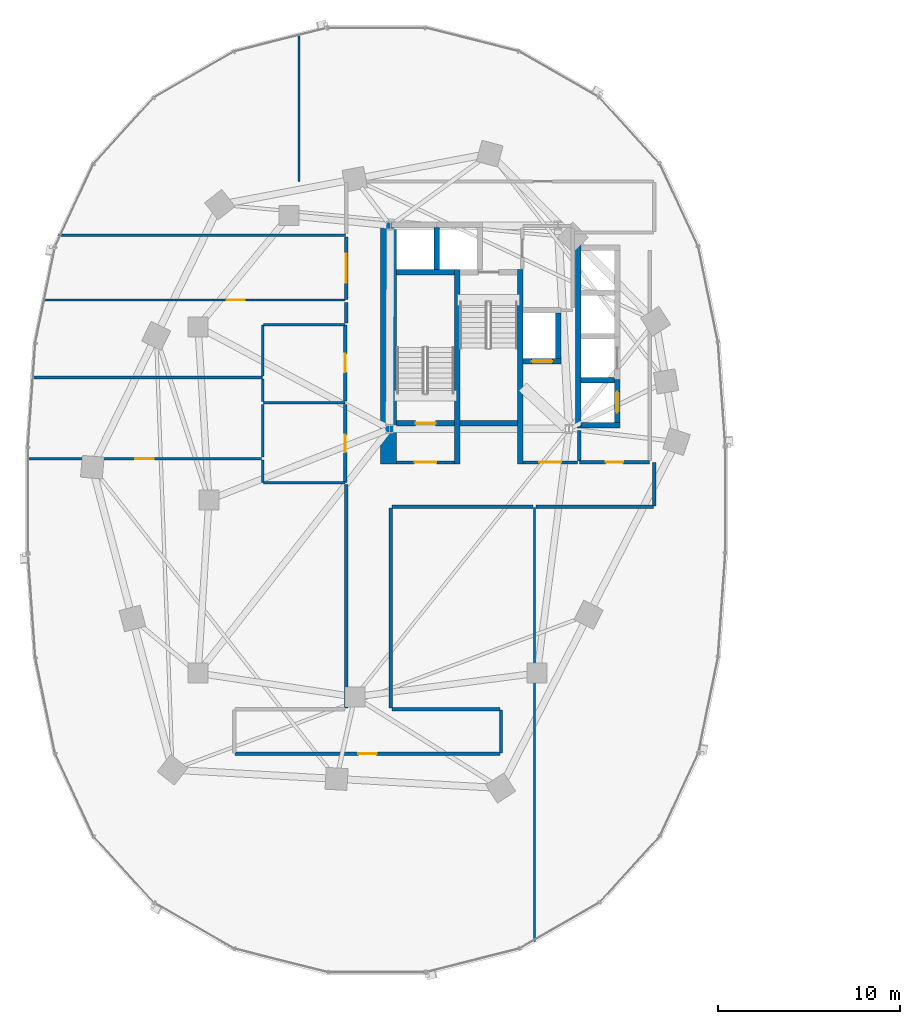
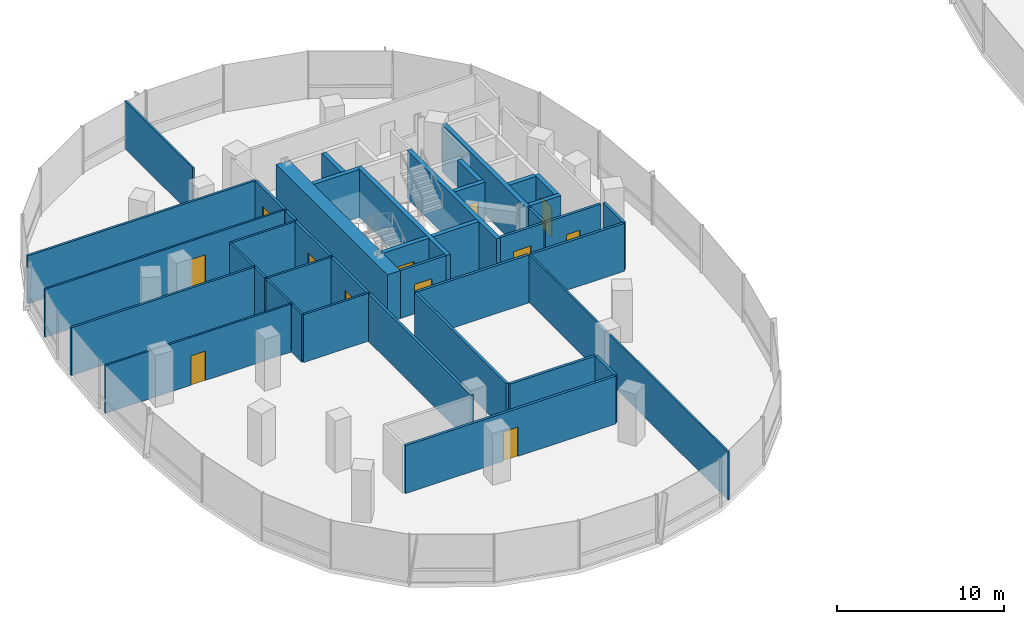
# One storey, part 11 of 21: 42 walls, 12 doors, 12 openings.
"""IFC4 building model written with IfcOpenShell, lengths in metres."""

from ifc_helpers import new_model, si_unit, direction, frame, frame_2d, origin, place, context, subcontext, project, spatial, rectangle, extrude, material, layer, layer_set, type_object, element, fill, save


model = new_model("IFC4")

# Units and contexts
model_context = context("Model", 3, precision=1e-05, world=origin(), true_north=direction((0.0, 1.0)))
body_context = subcontext(model_context, "Body", "Model", "MODEL_VIEW")
ifc_project = project(units=[si_unit("LENGTHUNIT", "METRE"), si_unit("AREAUNIT", "SQUARE_METRE"), si_unit("VOLUMEUNIT", "CUBIC_METRE"), si_unit("PLANEANGLEUNIT", "RADIAN"), si_unit("MASSUNIT", "GRAM", prefix="KILO"), si_unit("THERMODYNAMICTEMPERATUREUNIT", "KELVIN"), si_unit("POWERUNIT", "WATT")], contexts=[model_context])

# Site, building, storey
site_placement = place(None, origin())
site = spatial("IfcSite", under=ifc_project, at=site_placement, CompositionType="ELEMENT")
building_placement = place(site_placement, origin())
building = spatial("IfcBuilding", under=site, at=building_placement, Name="Cundina Bronze Exchange", CompositionType="ELEMENT")
storey_placement = place(building_placement, frame((0.0, 0.0, 27.800048828125)))
storey = spatial("IfcBuildingStorey", under=building, at=storey_placement, Name="L06", CompositionType="ELEMENT", Elevation=27.800048828125)

# Wall
ifc_material_1 = material(Name="Gypsum Fireboard Partition EI120")
ifc_layer_1 = layer(ifc_material_1, 0.179931640625, Name="Gypsum Fireboard Partition EI120")
ifc_layer_set_1 = layer_set([ifc_layer_1], Name="Gypsum Fireboard Partition EI120")
wall_type_1 = type_object("IfcWallType", Name="WL-COR-180", PredefinedType="PARTITIONING", material=ifc_layer_set_1)
wall_1_placement = place(storey_placement, frame((-20.889892578125, 2.14990234375, 0.0), z_axis=(0.0, 0.0, 1.0), x_axis=(0.0, 1.0, 0.0)))
element("IfcWall", 1, at=wall_1_placement, inside=storey, type_object=wall_type_1, Name="L06 W Firefighting Lobby Side Wall", PredefinedType="PARTITIONING", context=body_context, shape_type="SweptSolid", body=[
    extrude(rectangle(XDim=1.650146484375, YDim=0.179931640625, at=frame_2d((0.8251953125, 0.0))), origin(), (0.0, 0.0, 1.0), 3.5),
])

# Wall, opening, door
wall_2_placement = place(storey_placement, frame((-23.97998046875, 2.06005859375, 0.0), z_axis=(0.0, 0.0, 1.0), x_axis=(1.0, 0.0, 0.0)))
wall_2 = element("IfcWall", 2, at=wall_2_placement, inside=storey, type_object=wall_type_1, Name="L06 W Firefighting Lobby Exit Wall", PredefinedType="PARTITIONING", context=body_context, shape_type="SweptSolid", body=[
    extrude(rectangle(XDim=3.0, YDim=0.179931640625, at=frame_2d((1.5, 0.0))), origin(), (0.0, 0.0, 1.0), 3.5),
])
opening_1_placement = place(wall_2_placement, frame((0.89990234375, 0.0, 0.0)))
opening_1 = element("IfcOpeningElement", 3, at=opening_1_placement, cuts=wall_2, Name="Opening DF-01", PredefinedType="OPENING", context=body_context, shape_type="SweptSolid", body=[
    extrude(rectangle(XDim=1.199951171875, YDim=2.14990234375, at=frame_2d((0.60009765625, 1.074951171875))), frame((0.0, 0.099853515625, 0.0), z_axis=(0.0, -1.0, 0.0), x_axis=(1.0, 0.0, 0.0)), (0.0, 0.0, 1.0), 0.199951171875),
])
ifc_material_2 = material(Name="Steel ASTM A36 Painted", Category="steel")
door_type_1 = type_object("IfcDoorType", Name="DR-FFL-1200", OperationType="NOTDEFINED", PredefinedType="DOOR", material=ifc_material_2)
door_1_placement = place(opening_1_placement, origin())
door_1 = element("IfcDoor", 4, at=door_1_placement, inside=storey, type_object=door_type_1, Name="L06 W Firefighting Lobby Door", OperationType="SINGLE_SWING_RIGHT", OverallHeight=2.14990234375, OverallWidth=1.199951171875, PredefinedType="DOOR", context=body_context, shape_type="SweptSolid", body=[
    extrude(rectangle(XDim=1.199951171875, YDim=2.14990234375, at=frame_2d((0.60009765625, 1.074951171875))), frame((0.0, 0.02490234375, 0.0), z_axis=(0.0, -1.0, 0.0), x_axis=(1.0, 0.0, 0.0)), (0.0, 0.0, 1.0), 0.050048828125),
])
fill(opening_1, door_1)

wall_3_placement = place(storey_placement, frame((-30.89990234375, 2.06005859375, 0.0), z_axis=(0.0, 0.0, 1.0), x_axis=(1.0, 0.0, 0.0)))
wall_3 = element("IfcWall", 5, at=wall_3_placement, inside=storey, type_object=wall_type_1, Name="L06 W Stair Vestibule Exit Wall", PredefinedType="PARTITIONING", context=body_context, shape_type="SweptSolid", body=[
    extrude(rectangle(XDim=3.159912109375, YDim=0.179931640625, at=frame_2d((1.580078125, 0.0))), origin(), (0.0, 0.0, 1.0), 3.5),
])
opening_2_placement = place(wall_3_placement, frame((0.97998046875, 0.0, 0.0)))
opening_2 = element("IfcOpeningElement", 6, at=opening_2_placement, cuts=wall_3, Name="Opening DF-01", PredefinedType="OPENING", context=body_context, shape_type="SweptSolid", body=[
    extrude(rectangle(XDim=1.199951171875, YDim=2.14990234375, at=frame_2d((0.60009765625, 1.074951171875))), frame((0.0, 0.099853515625, 0.0), z_axis=(0.0, -1.0, 0.0), x_axis=(1.0, 0.0, 0.0)), (0.0, 0.0, 1.0), 0.199951171875),
])
door_2_placement = place(opening_2_placement, origin())
door_2 = element("IfcDoor", 7, at=door_2_placement, inside=storey, type_object=door_type_1, Name="L06 W Stair Vestibule Door", OperationType="SINGLE_SWING_LEFT", OverallHeight=2.14990234375, OverallWidth=1.199951171875, PredefinedType="DOOR", context=body_context, shape_type="SweptSolid", body=[
    extrude(rectangle(XDim=1.199951171875, YDim=2.14990234375, at=frame_2d((0.60009765625, 1.074951171875))), frame((0.0, 0.02490234375, 0.0), z_axis=(0.0, -1.0, 0.0), x_axis=(1.0, 0.0, 0.0)), (0.0, 0.0, 1.0), 0.050048828125),
])
fill(opening_2, door_2)

wall_4_placement = place(storey_placement, frame((-20.8701171875, 2.070068359375, 0.0), z_axis=(0.0, 0.0, 1.0), x_axis=(1.0, 0.0, 0.0)))
wall_4 = element("IfcWall", 8, at=wall_4_placement, inside=storey, type_object=wall_type_1, Name="L06 Interior Partition 002", PredefinedType="PARTITIONING", context=body_context, shape_type="SweptSolid", body=[
    extrude(rectangle(XDim=3.830078125, YDim=0.179931640625, at=frame_2d((1.9150390625, 0.0))), origin(), (0.0, 0.0, 1.0), 3.5),
])
opening_3_placement = place(wall_4_placement, frame((1.43994140625, 0.0, 0.0)))
opening_3 = element("IfcOpeningElement", 9, at=opening_3_placement, cuts=wall_4, Name="Opening DW-01", PredefinedType="OPENING", context=body_context, shape_type="SweptSolid", body=[
    extrude(rectangle(XDim=0.949951171875, YDim=2.10009765625, at=frame_2d((0.47509765625, 1.050048828125))), frame((0.0, 0.099853515625, 0.0), z_axis=(0.0, -1.0, 0.0), x_axis=(1.0, 0.0, 0.0)), (0.0, 0.0, 1.0), 0.199951171875),
])
ifc_material_3 = material(Name="Solid Andean Oak Timber Grade A", Category="wood")
door_type_2 = type_object("IfcDoorType", Name="DR-WC-950", OperationType="NOTDEFINED", PredefinedType="DOOR", material=ifc_material_3)
door_3_placement = place(opening_3_placement, origin())
door_3 = element("IfcDoor", 10, at=door_3_placement, inside=storey, type_object=door_type_2, Name="L06 Interior Door 002", OperationType="SINGLE_SWING_LEFT", OverallHeight=2.10009765625, OverallWidth=0.949951171875, PredefinedType="DOOR", context=body_context, shape_type="SweptSolid", body=[
    extrude(rectangle(XDim=0.949951171875, YDim=2.10009765625, at=frame_2d((0.47509765625, 1.050048828125))), frame((0.0, 0.02490234375, 0.0), z_axis=(0.0, -1.0, 0.0), x_axis=(1.0, 0.0, 0.0)), (0.0, 0.0, 1.0), 0.050048828125),
])
fill(opening_3, door_3)

wall_5_placement = place(storey_placement, frame((-33.719970703125, 0.969970703125, 0.0), z_axis=(0.0, 0.0, 1.0), x_axis=(0.0, 1.0, 0.0)))
wall_5 = element("IfcWall", 11, at=wall_5_placement, inside=storey, type_object=wall_type_1, Name="L06 Interior Partition 014", PredefinedType="PARTITIONING", context=body_context, shape_type="SweptSolid", body=[
    extrude(rectangle(XDim=4.260009765625, YDim=0.179931640625, at=frame_2d((2.1298828125, 0.0))), origin(), (0.0, 0.0, 1.0), 3.5),
])
opening_4_placement = place(wall_5_placement, frame((1.655029296875, 0.0, 0.0)))
opening_4 = element("IfcOpeningElement", 12, at=opening_4_placement, cuts=wall_5, Name="Opening DW-01", PredefinedType="OPENING", context=body_context, shape_type="SweptSolid", body=[
    extrude(rectangle(XDim=0.949951171875, YDim=2.10009765625, at=frame_2d((0.47509765625, 1.050048828125))), frame((0.0, 0.099853515625, 0.0), z_axis=(0.0, -1.0, 0.0), x_axis=(1.0, 0.0, 0.0)), (0.0, 0.0, 1.0), 0.199951171875),
])
door_4_placement = place(opening_4_placement, origin())
door_4 = element("IfcDoor", 13, at=door_4_placement, inside=storey, type_object=door_type_2, Name="L06 Interior Door 014", OperationType="SINGLE_SWING_LEFT", OverallHeight=2.10009765625, OverallWidth=0.949951171875, PredefinedType="DOOR", context=body_context, shape_type="SweptSolid", body=[
    extrude(rectangle(XDim=0.949951171875, YDim=2.10009765625, at=frame_2d((0.47509765625, 1.050048828125))), frame((0.0, 0.02490234375, 0.0), z_axis=(0.0, -1.0, 0.0), x_axis=(1.0, 0.0, 0.0)), (0.0, 0.0, 1.0), 0.050048828125),
])
fill(opening_4, door_4)

wall_6_placement = place(storey_placement, frame((-33.719970703125, 5.429931640625, 0.0), z_axis=(0.0, 0.0, 1.0), x_axis=(0.0, 1.0, 0.0)))
wall_6 = element("IfcWall", 14, at=wall_6_placement, inside=storey, type_object=wall_type_1, Name="L06 Interior Partition 015", PredefinedType="PARTITIONING", context=body_context, shape_type="SweptSolid", body=[
    extrude(rectangle(XDim=4.16015625, YDim=0.179931640625, at=frame_2d((2.080078125, 0.0))), origin(), (0.0, 0.0, 1.0), 3.5),
])
opening_5_placement = place(wall_6_placement, frame((1.580078125, 0.0, 0.0)))
opening_5 = element("IfcOpeningElement", 15, at=opening_5_placement, cuts=wall_6, Name="Opening DO-01", PredefinedType="OPENING", context=body_context, shape_type="SweptSolid", body=[
    extrude(rectangle(XDim=1.0, YDim=2.14990234375, at=frame_2d((0.5, 1.074951171875))), frame((0.0, 0.099853515625, 0.0), z_axis=(0.0, -1.0, 0.0), x_axis=(1.0, 0.0, 0.0)), (0.0, 0.0, 1.0), 0.199951171875),
])
door_type_3 = type_object("IfcDoorType", Name="DR-OFF-1000", OperationType="NOTDEFINED", PredefinedType="DOOR", material=ifc_material_3)
door_5_placement = place(opening_5_placement, origin())
door_5 = element("IfcDoor", 16, at=door_5_placement, inside=storey, type_object=door_type_3, Name="L06 Interior Door 015", OperationType="SINGLE_SWING_LEFT", OverallHeight=2.14990234375, OverallWidth=1.0, PredefinedType="DOOR", context=body_context, shape_type="SweptSolid", body=[
    extrude(rectangle(XDim=1.0, YDim=2.14990234375, at=frame_2d((0.5, 1.074951171875))), frame((0.0, 0.02490234375, 0.0), z_axis=(0.0, -1.0, 0.0), x_axis=(1.0, 0.0, 0.0)), (0.0, 0.0, 1.0), 0.050048828125),
])
fill(opening_5, door_5)

wall_7_placement = place(storey_placement, frame((-39.778564453125, -13.919921875, 0.0), z_axis=(0.0, 0.0, 1.0), x_axis=(1.0, 0.0, 0.0)))
wall_7 = element("IfcWall", 17, at=wall_7_placement, inside=storey, type_object=wall_type_1, Name="L06 Interior Partition 020", PredefinedType="PARTITIONING", context=body_context, shape_type="SweptSolid", body=[
    extrude(rectangle(XDim=14.55712890625, YDim=0.179931640625, at=frame_2d((7.278564453125, 0.0))), origin(), (0.0, 0.0, 1.0), 3.5),
])
opening_6_placement = place(wall_7_placement, frame((6.778564453125, 0.0, 0.0)))
opening_6 = element("IfcOpeningElement", 18, at=opening_6_placement, cuts=wall_7, Name="Opening DO-01", PredefinedType="OPENING", context=body_context, shape_type="SweptSolid", body=[
    extrude(rectangle(XDim=1.0, YDim=2.14990234375, at=frame_2d((0.5, 1.074951171875))), frame((0.0, 0.099853515625, 0.0), z_axis=(0.0, -1.0, 0.0), x_axis=(1.0, 0.0, 0.0)), (0.0, 0.0, 1.0), 0.199951171875),
])
door_6_placement = place(opening_6_placement, origin())
door_6 = element("IfcDoor", 19, at=door_6_placement, inside=storey, type_object=door_type_3, Name="L06 Interior Door 020", OperationType="SINGLE_SWING_RIGHT", OverallHeight=2.14990234375, OverallWidth=1.0, PredefinedType="DOOR", context=body_context, shape_type="SweptSolid", body=[
    extrude(rectangle(XDim=1.0, YDim=2.14990234375, at=frame_2d((0.5, 1.074951171875))), frame((0.0, 0.02490234375, 0.0), z_axis=(0.0, -1.0, 0.0), x_axis=(1.0, 0.0, 0.0)), (0.0, 0.0, 1.0), 0.050048828125),
])
fill(opening_6, door_6)

# Walls
wall_8_placement = place(storey_placement, frame((-33.669921875, 0.858642578125, 0.0), z_axis=(0.0, 0.0, 1.0), x_axis=(0.0, -1.0, 0.0)))
element("IfcWall", 20, at=wall_8_placement, inside=storey, type_object=wall_type_1, Name="L06 Interior Partition 021", PredefinedType="PARTITIONING", context=body_context, shape_type="SweptSolid", body=[
    extrude(rectangle(XDim=12.258544921875, YDim=0.179931640625, at=frame_2d((6.12939453125, 0.0))), origin(), (0.0, 0.0, 1.0), 3.5),
])
wall_9_placement = place(storey_placement, frame((-31.22998046875, -11.39990234375, 0.0), z_axis=(0.0, 0.0, 1.0), x_axis=(0.0, 1.0, 0.0)))
element("IfcWall", 21, at=wall_9_placement, inside=storey, type_object=wall_type_1, Name="L06 Interior Partition 022", PredefinedType="PARTITIONING", context=body_context, shape_type="SweptSolid", body=[
    extrude(rectangle(XDim=10.949951171875, YDim=0.179931640625, at=frame_2d((5.47509765625, 0.0))), origin(), (0.0, 0.0, 1.0), 3.5),
])
wall_10_placement = place(storey_placement, frame((-31.14990234375, -0.3701171875, 0.0), z_axis=(0.0, 0.0, 1.0), x_axis=(1.0, 0.0, 0.0)))
element("IfcWall", 22, at=wall_10_placement, inside=storey, type_object=wall_type_1, Name="L06 Interior Partition 023", PredefinedType="PARTITIONING", context=body_context, shape_type="SweptSolid", body=[
    extrude(rectangle(XDim=7.719970703125, YDim=0.179931640625, at=frame_2d((3.85986328125, 0.0))), origin(), (0.0, 0.0, 1.0), 3.5),
])
wall_11_placement = place(storey_placement, frame((-25.221435546875, -11.47998046875, 0.0), z_axis=(0.0, 0.0, 1.0), x_axis=(-1.0, 0.0, 0.0)))
element("IfcWall", 23, at=wall_11_placement, inside=storey, type_object=wall_type_1, Name="L06 Interior Partition 025", PredefinedType="PARTITIONING", context=body_context, shape_type="SweptSolid", body=[
    extrude(rectangle(XDim=5.928466796875, YDim=0.179931640625, at=frame_2d((2.96435546875, 0.0))), origin(), (0.0, 0.0, 1.0), 3.5),
])
wall_12_placement = place(storey_placement, frame((-25.179931640625, -13.87841796875, 0.0), z_axis=(0.0, 0.0, 1.0), x_axis=(0.0, 1.0, 0.0)))
element("IfcWall", 24, at=wall_12_placement, inside=storey, type_object=wall_type_1, Name="L06 Interior Partition 027", PredefinedType="PARTITIONING", context=body_context, shape_type="SweptSolid", body=[
    extrude(rectangle(XDim=2.35693359375, YDim=0.179931640625, at=frame_2d((1.178466796875, 0.0))), origin(), (0.0, 0.0, 1.0), 3.5),
])
wall_13_placement = place(storey_placement, frame((-23.25, -0.3701171875, 0.0), z_axis=(0.0, 0.0, 1.0), x_axis=(1.0, 0.0, 0.0)))
element("IfcWall", 25, at=wall_13_placement, inside=storey, type_object=wall_type_1, Name="L06 Interior Partition 029", PredefinedType="PARTITIONING", context=body_context, shape_type="SweptSolid", body=[
    extrude(rectangle(XDim=6.428466796875, YDim=0.179931640625, at=frame_2d((3.21435546875, 0.0))), origin(), (0.0, 0.0, 1.0), 3.5),
])
wall_14_placement = place(storey_placement, frame((-16.780029296875, -0.32861328125, 0.0), z_axis=(0.0, 0.0, 1.0), x_axis=(0.0, 1.0, 0.0)))
element("IfcWall", 26, at=wall_14_placement, inside=storey, type_object=wall_type_1, Name="L06 Interior Partition 033", PredefinedType="PARTITIONING", context=body_context, shape_type="SweptSolid", body=[
    extrude(rectangle(XDim=2.38720703125, YDim=0.179931640625, at=frame_2d((1.193603515625, 0.0))), origin(), (0.0, 0.0, 1.0), 3.5),
])
wall_15_placement = place(storey_placement, frame((-33.669921875, 10.830078125, 0.0), z_axis=(0.0, 0.0, 1.0), x_axis=(0.0, -1.0, 0.0)))
element("IfcWall", 27, at=wall_15_placement, inside=storey, type_object=wall_type_1, Name="L06 Interior Partition 034", PredefinedType="PARTITIONING", context=body_context, shape_type="SweptSolid", body=[
    extrude(rectangle(XDim=1.128662109375, YDim=0.179931640625, at=frame_2d((0.564453125, 0.0))), origin(), (0.0, 0.0, 1.0), 3.5),
])

# Wall, opening, door
wall_16_placement = place(storey_placement, frame((-33.669921875, 14.429931640625, 0.0), z_axis=(0.0, 0.0, 1.0), x_axis=(0.0, -1.0, 0.0)))
wall_16 = element("IfcWall", 28, at=wall_16_placement, inside=storey, type_object=wall_type_1, Name="L06 Interior Partition 035", PredefinedType="PARTITIONING", context=body_context, shape_type="SweptSolid", body=[
    extrude(rectangle(XDim=3.419921875, YDim=0.179931640625, at=frame_2d((1.7099609375, 0.0))), origin(), (0.0, 0.0, 1.0), 3.5),
])
opening_7_placement = place(wall_16_placement, frame((0.909912109375, 0.0, 0.0)))
opening_7 = element("IfcOpeningElement", 29, at=opening_7_placement, cuts=wall_16, Name="Opening DO-02", PredefinedType="OPENING", context=body_context, shape_type="SweptSolid", body=[
    extrude(rectangle(XDim=1.60009765625, YDim=2.199951171875, at=frame_2d((0.800048828125, 1.10009765625))), frame((0.0, 0.099853515625, 0.0), z_axis=(0.0, -1.0, 0.0), x_axis=(1.0, 0.0, 0.0)), (0.0, 0.0, 1.0), 0.199951171875),
])
door_type_4 = type_object("IfcDoorType", Name="DR-TRD-1600", OperationType="NOTDEFINED", PredefinedType="DOOR", material=ifc_material_3)
door_7_placement = place(opening_7_placement, origin())
door_7 = element("IfcDoor", 30, at=door_7_placement, inside=storey, type_object=door_type_4, Name="L06 Interior Door 035", OperationType="SINGLE_SWING_LEFT", OverallHeight=2.199951171875, OverallWidth=1.60009765625, PredefinedType="DOOR", context=body_context, shape_type="SweptSolid", body=[
    extrude(rectangle(XDim=1.60009765625, YDim=2.199951171875, at=frame_2d((0.800048828125, 1.10009765625))), frame((0.0, 0.02490234375, 0.0), z_axis=(0.0, -1.0, 0.0), x_axis=(1.0, 0.0, 0.0)), (0.0, 0.0, 1.0), 0.050048828125),
])
fill(opening_7, door_7)

# Walls
ifc_material_4 = material(Name="Concrete C60/75", Category="concrete")
ifc_layer_2 = layer(ifc_material_4, 0.89990234375, Name="Concrete C60/75", Category="concrete")
ifc_layer_set_2 = layer_set([ifc_layer_2], Name="Concrete C60/75")
wall_type_2 = type_object("IfcWallType", Name="WL-CORE-900", PredefinedType="SHEAR", material=ifc_layer_set_2)
wall_17_placement = place(storey_placement, frame((-31.35009765625, 1.969970703125, 0.0), z_axis=(0.0, 0.0, 1.0), x_axis=(0.0, 1.0, 0.0)))
element("IfcWall", 31, at=wall_17_placement, inside=storey, type_object=wall_type_2, Name="L06 W Primary Core Shear Spine Wall", PredefinedType="SHEAR", context=body_context, shape_type="SweptSolid", body=[
    extrude(rectangle(XDim=13.330078125, YDim=0.89990234375, at=frame_2d((6.6650390625, 0.0))), origin(), (0.0, 0.0, 1.0), 3.5),
])
ifc_material_5 = material(Name="Gypsum Acoustic Partition EI60")
ifc_layer_3 = layer(ifc_material_5, 0.125, Name="Gypsum Acoustic Partition EI60")
ifc_layer_set_3 = layer_set([ifc_layer_3], Name="Gypsum Acoustic Partition EI60")
wall_type_3 = type_object("IfcWallType", Name="WL-OFF-125", PredefinedType="PARTITIONING", material=ifc_layer_set_3)
wall_18_placement = place(storey_placement, frame((-23.340087890625, -24.220458984375, 0.0), z_axis=(0.0, 0.0, 1.0), x_axis=(0.0, 1.0, 0.0)))
element("IfcWall", 32, at=wall_18_placement, inside=storey, type_object=wall_type_3, Name="L06 Interior Partition 016", PredefinedType="PARTITIONING", context=body_context, shape_type="SweptSolid", body=[
    extrude(rectangle(XDim=23.820556640625, YDim=0.125, at=frame_2d((11.91015625, 0.0))), origin(), (0.0, 0.0, 1.0), 3.5),
])
wall_19_placement = place(storey_placement, frame((-36.260009765625, 17.469970703125, 0.0), z_axis=(0.0, 0.0, 1.0), x_axis=(0.0, 1.0, 0.0)))
element("IfcWall", 33, at=wall_19_placement, inside=storey, type_object=wall_type_3, Name="L06 Interior Partition 019", PredefinedType="PARTITIONING", context=body_context, shape_type="SweptSolid", body=[
    extrude(rectangle(XDim=8.121337890625, YDim=0.125, at=frame_2d((4.060546875, 0.0))), origin(), (0.0, 0.0, 1.0), 3.5),
])

# Wall, opening, door
wall_20_placement = place(storey_placement, frame((-38.320068359375, 2.27001953125, 0.0), z_axis=(0.0, 0.0, 1.0), x_axis=(-1.0, 0.0, 0.0)))
wall_20 = element("IfcWall", 34, at=wall_20_placement, inside=storey, type_object=wall_type_3, Name="L06 Interior Partition 036", PredefinedType="PARTITIONING", context=body_context, shape_type="SweptSolid", body=[
    extrude(rectangle(XDim=12.837890625, YDim=0.125, at=frame_2d((6.4189453125, 0.0))), origin(), (0.0, 0.0, 1.0), 3.5),
])
opening_8_placement = place(wall_20_placement, frame((5.9189453125, 0.0, 0.0)))
opening_8 = element("IfcOpeningElement", 35, at=opening_8_placement, cuts=wall_20, Name="Opening DO-01", PredefinedType="OPENING", context=body_context, shape_type="SweptSolid", body=[
    extrude(rectangle(XDim=1.0, YDim=2.14990234375, at=frame_2d((0.5, 1.074951171875))), frame((0.0, 0.072509765625, 0.0), z_axis=(0.0, -1.0, 0.0), x_axis=(1.0, 0.0, 0.0)), (0.0, 0.0, 1.0), 0.14501953125),
])
door_8_placement = place(opening_8_placement, origin())
door_8 = element("IfcDoor", 36, at=door_8_placement, inside=storey, type_object=door_type_3, Name="L06 Interior Door 036", OperationType="SINGLE_SWING_RIGHT", OverallHeight=2.14990234375, OverallWidth=1.0, PredefinedType="DOOR", context=body_context, shape_type="SweptSolid", body=[
    extrude(rectangle(XDim=1.0, YDim=2.14990234375, at=frame_2d((0.5, 1.074951171875))), frame((0.0, 0.02490234375, 0.0), z_axis=(0.0, -1.0, 0.0), x_axis=(1.0, 0.0, 0.0)), (0.0, 0.0, 1.0), 0.050048828125),
])
fill(opening_8, door_8)

wall_21_placement = place(storey_placement, frame((-50.301513671875, 10.969970703125, 0.0), z_axis=(0.0, 0.0, 1.0), x_axis=(1.0, 0.0, 0.0)))
wall_21 = element("IfcWall", 37, at=wall_21_placement, inside=storey, type_object=wall_type_3, Name="L06 Interior Partition 037", PredefinedType="PARTITIONING", context=body_context, shape_type="SweptSolid", body=[
    extrude(rectangle(XDim=16.551513671875, YDim=0.125, at=frame_2d((8.27587890625, 0.0))), origin(), (0.0, 0.0, 1.0), 3.5),
])
opening_9_placement = place(wall_21_placement, frame((10.072509765625, 0.0, 0.0)))
opening_9 = element("IfcOpeningElement", 38, at=opening_9_placement, cuts=wall_21, Name="Opening DO-01", PredefinedType="OPENING", context=body_context, shape_type="SweptSolid", body=[
    extrude(rectangle(XDim=1.0, YDim=2.14990234375, at=frame_2d((0.5, 1.074951171875))), frame((0.0, 0.072509765625, 0.0), z_axis=(0.0, -1.0, 0.0), x_axis=(1.0, 0.0, 0.0)), (0.0, 0.0, 1.0), 0.14501953125),
])
door_9_placement = place(opening_9_placement, origin())
door_9 = element("IfcDoor", 39, at=door_9_placement, inside=storey, type_object=door_type_3, Name="L06 Interior Door 037", OperationType="SINGLE_SWING_LEFT", OverallHeight=2.14990234375, OverallWidth=1.0, PredefinedType="DOOR", context=body_context, shape_type="SweptSolid", body=[
    extrude(rectangle(XDim=1.0, YDim=2.14990234375, at=frame_2d((0.5, 1.074951171875))), frame((0.0, 0.02490234375, 0.0), z_axis=(0.0, -1.0, 0.0), x_axis=(1.0, 0.0, 0.0)), (0.0, 0.0, 1.0), 0.050048828125),
])
fill(opening_9, door_9)

# Walls
ifc_material_6 = material(Name="Concrete C50/60", Category="concrete")
ifc_layer_4 = layer(ifc_material_6, 0.300048828125, Name="Concrete C50/60", Category="concrete")
ifc_layer_set_4 = layer_set([ifc_layer_4], Name="Concrete C50/60")
wall_type_4 = type_object("IfcWallType", Name="WL-SHFT-300", PredefinedType="SHEAR", material=ifc_layer_set_4)
for number, where, z_axis, x_axis, name in (
    (40, (-27.590087890625, 1.969970703125, 0.0), (0.0, 0.0, 1.0), (0.0, 1.0, 0.0), "L06 W Stair Shaft Dividing Shear Wall"),
    (41, (-24.1298828125, 1.969970703125, 0.0), (0.0, 0.0, 1.0), (0.0, 1.0, 0.0), "L06 W Stair 2 East Shear Wall"),
):
    element("IfcWall", number, at=place(storey_placement, frame(where, z_axis=z_axis, x_axis=x_axis)), inside=storey, type_object=wall_type_4, Name=name, PredefinedType="SHEAR", context=body_context, shape_type="SweptSolid", body=[
        extrude(rectangle(XDim=10.679931640625, YDim=0.300048828125, at=frame_2d((5.33984375, 0.0))), origin(), (0.0, 0.0, 1.0), 3.5),
    ])

# Wall, opening, door
wall_22_placement = place(storey_placement, frame((-30.89990234375, 4.199951171875, 0.0), z_axis=(0.0, 0.0, 1.0), x_axis=(1.0, 0.0, 0.0)))
wall_22 = element("IfcWall", 42, at=wall_22_placement, inside=storey, type_object=wall_type_4, Name="L06 Stair W1 Landing Wall", PredefinedType="SHEAR", context=body_context, shape_type="SweptSolid", body=[
    extrude(rectangle(XDim=3.159912109375, YDim=0.300048828125, at=frame_2d((1.580078125, 0.0))), origin(), (0.0, 0.0, 1.0), 3.5),
])
opening_10_placement = place(wall_22_placement, frame((1.030029296875, 0.0, 0.0)))
opening_10 = element("IfcOpeningElement", 43, at=opening_10_placement, cuts=wall_22, Name="Opening DS-01", PredefinedType="OPENING", context=body_context, shape_type="SweptSolid", body=[
    extrude(rectangle(XDim=1.10009765625, YDim=2.14990234375, at=frame_2d((0.550048828125, 1.074951171875))), frame((0.0, 0.159912109375, 0.0), z_axis=(0.0, -1.0, 0.0), x_axis=(1.0, 0.0, 0.0)), (0.0, 0.0, 1.0), 0.320068359375),
])
door_type_5 = type_object("IfcDoorType", Name="DR-STR-1100", OperationType="NOTDEFINED", PredefinedType="DOOR", material=ifc_material_2)
door_10_placement = place(opening_10_placement, origin())
door_10 = element("IfcDoor", 44, at=door_10_placement, inside=storey, type_object=door_type_5, Name="L06 Smokeproof Stair W1 Door", OperationType="SINGLE_SWING_RIGHT", OverallHeight=2.14990234375, OverallWidth=1.10009765625, PredefinedType="DOOR", context=body_context, shape_type="SweptSolid", body=[
    extrude(rectangle(XDim=1.10009765625, YDim=2.14990234375, at=frame_2d((0.550048828125, 1.074951171875))), frame((0.0, 0.02490234375, 0.0), z_axis=(0.0, -1.0, 0.0), x_axis=(1.0, 0.0, 0.0)), (0.0, 0.0, 1.0), 0.050048828125),
])
fill(opening_10, door_10)

# Walls
for number, where, z_axis, x_axis, name in (
    (45, (-30.89990234375, 12.5, 0.0), (0.0, 0.0, 1.0), (1.0, 0.0, 0.0), "L06 Stair W1 Far Shaft Wall"),
    (46, (-27.43994140625, 4.199951171875, 0.0), (0.0, 0.0, 1.0), (1.0, 0.0, 0.0), "L06 Stair W2 Far Shaft Wall"),
):
    element("IfcWall", number, at=place(storey_placement, frame(where, z_axis=z_axis, x_axis=x_axis)), inside=storey, type_object=wall_type_4, Name=name, PredefinedType="SHEAR", context=body_context, shape_type="SweptSolid", body=[
        extrude(rectangle(XDim=3.159912109375, YDim=0.300048828125, at=frame_2d((1.580078125, 0.0))), origin(), (0.0, 0.0, 1.0), 3.5),
    ])

# Wall, opening, door
wall_23_placement = place(storey_placement, frame((-23.97998046875, 7.60009765625, 0.0), z_axis=(0.0, 0.0, 1.0), x_axis=(1.0, 0.0, 0.0)))
wall_23 = element("IfcWall", 47, at=wall_23_placement, inside=storey, type_object=wall_type_4, Name="L06 FFL-W Hoistway Front Wall", PredefinedType="SHEAR", context=body_context, shape_type="SweptSolid", body=[
    extrude(rectangle(XDim=2.10009765625, YDim=0.300048828125, at=frame_2d((1.050048828125, 0.0))), origin(), (0.0, 0.0, 1.0), 3.5),
])
opening_11_placement = place(wall_23_placement, frame((0.47509765625, 0.0, 0.0)))
opening_11 = element("IfcOpeningElement", 48, at=opening_11_placement, cuts=wall_23, Name="Opening LD-01", PredefinedType="OPENING", context=body_context, shape_type="SweptSolid", body=[
    extrude(rectangle(XDim=1.14990234375, YDim=2.199951171875, at=frame_2d((0.574951171875, 1.10009765625))), frame((0.0, 0.159912109375, 0.0), z_axis=(0.0, -1.0, 0.0), x_axis=(1.0, 0.0, 0.0)), (0.0, 0.0, 1.0), 0.320068359375),
])
door_type_6 = type_object("IfcDoorType", Name="DR-LND-1150", OperationType="NOTDEFINED", PredefinedType="TRAPDOOR", material=ifc_material_2)
door_11_placement = place(opening_11_placement, origin())
door_11 = element("IfcDoor", 49, at=door_11_placement, inside=storey, type_object=door_type_6, Name="L06 FFL-W Sliding Landing Door", OperationType="SLIDING_TO_LEFT", OverallHeight=2.199951171875, OverallWidth=1.14990234375, PredefinedType="TRAPDOOR", context=body_context, shape_type="SweptSolid", body=[
    extrude(rectangle(XDim=1.14990234375, YDim=2.199951171875, at=frame_2d((0.574951171875, 1.10009765625))), frame((0.0, 0.02490234375, 0.0), z_axis=(0.0, -1.0, 0.0), x_axis=(1.0, 0.0, 0.0)), (0.0, 0.0, 1.0), 0.050048828125),
])
fill(opening_11, door_11)

# Walls
wall_24_placement = place(storey_placement, frame((-22.030029296875, 7.75, 0.0), z_axis=(0.0, 0.0, 1.0), x_axis=(0.0, 1.0, 0.0)))
element("IfcWall", 50, at=wall_24_placement, inside=storey, type_object=wall_type_4, Name="L06 FFL-W Hoistway Side Wall", PredefinedType="SHEAR", context=body_context, shape_type="SweptSolid", body=[
    extrude(rectangle(XDim=2.5, YDim=0.300048828125, at=frame_2d((1.25, 0.0))), origin(), (0.0, 0.0, 1.0), 3.5),
])
wall_25_placement = place(storey_placement, frame((-28.699951171875, 12.64990234375, 0.0), z_axis=(0.0, 0.0, 1.0), x_axis=(0.0, 1.0, 0.0)))
element("IfcWall", 51, at=wall_25_placement, inside=storey, type_object=wall_type_4, Name="L06 PH-W1 Hoistway Divider Wall", PredefinedType="SHEAR", context=body_context, shape_type="SweptSolid", body=[
    extrude(rectangle(XDim=2.300048828125, YDim=0.300048828125, at=frame_2d((1.14990234375, 0.0))), origin(), (0.0, 0.0, 1.0), 3.5),
])
wall_26_placement = place(storey_placement, frame((-20.949951171875, 3.949951171875, 0.0), z_axis=(0.0, 0.0, 1.0), x_axis=(0.0, 1.0, 0.0)))
element("IfcWall", 52, at=wall_26_placement, inside=storey, type_object=wall_type_4, Name="L06 W Passenger Bank Hoistway Back Wall", PredefinedType="SHEAR", context=body_context, shape_type="SweptSolid", body=[
    extrude(rectangle(XDim=10.050048828125, YDim=0.300048828125, at=frame_2d((5.02490234375, 0.0))), origin(), (0.0, 0.0, 1.0), 3.5),
])
wall_27_placement = place(storey_placement, frame((-20.800048828125, 4.10009765625, 0.0), z_axis=(0.0, 0.0, 1.0), x_axis=(1.0, 0.0, 0.0)))
element("IfcWall", 53, at=wall_27_placement, inside=storey, type_object=wall_type_4, Name="L06 W Passenger Bank South Cap Wall", PredefinedType="SHEAR", context=body_context, shape_type="SweptSolid", body=[
    extrude(rectangle(XDim=2.150146484375, YDim=0.300048828125, at=frame_2d((1.0751953125, 0.0))), origin(), (0.0, 0.0, 1.0), 3.5),
])
wall_28_placement = place(storey_placement, frame((-20.800048828125, 6.574951171875, 0.0), z_axis=(0.0, 0.0, 1.0), x_axis=(1.0, 0.0, 0.0)))
element("IfcWall", 54, at=wall_28_placement, inside=storey, type_object=wall_type_4, Name="L06 W Passenger Hoistway Divider 1", PredefinedType="SHEAR", context=body_context, shape_type="SweptSolid", body=[
    extrude(rectangle(XDim=1.85009765625, YDim=0.300048828125, at=frame_2d((0.925048828125, 0.0))), origin(), (0.0, 0.0, 1.0), 3.5),
])

# Wall, opening, door
wall_29_placement = place(storey_placement, frame((-18.800048828125, 4.1298828125, 0.0), z_axis=(0.0, 0.0, 1.0), x_axis=(0.0, 1.0, 0.0)))
wall_29 = element("IfcWall", 55, at=wall_29_placement, inside=storey, type_object=wall_type_4, Name="L06 PL-W2 Hoistway Front Wall", PredefinedType="SHEAR", context=body_context, shape_type="SweptSolid", body=[
    extrude(rectangle(XDim=2.490234375, YDim=0.300048828125, at=frame_2d((1.2451171875, 0.0))), origin(), (0.0, 0.0, 1.0), 3.5),
])
opening_12_placement = place(wall_29_placement, frame((0.669921875, 0.0, 0.0)))
opening_12 = element("IfcOpeningElement", 56, at=opening_12_placement, cuts=wall_29, Name="Opening LD-01", PredefinedType="OPENING", context=body_context, shape_type="SweptSolid", body=[
    extrude(rectangle(XDim=1.14990234375, YDim=2.199951171875, at=frame_2d((0.574951171875, 1.10009765625))), frame((0.0, 0.159912109375, 0.0), z_axis=(0.0, -1.0, 0.0), x_axis=(1.0, 0.0, 0.0)), (0.0, 0.0, 1.0), 0.320068359375),
])
door_12_placement = place(opening_12_placement, origin())
door_12 = element("IfcDoor", 57, at=door_12_placement, inside=storey, type_object=door_type_6, Name="L06 PL-W2 Sliding Landing Door", OperationType="SLIDING_TO_LEFT", OverallHeight=2.199951171875, OverallWidth=1.14990234375, PredefinedType="TRAPDOOR", context=body_context, shape_type="SweptSolid", body=[
    extrude(rectangle(XDim=1.14990234375, YDim=2.199951171875, at=frame_2d((0.574951171875, 1.10009765625))), frame((0.0, 0.02490234375, 0.0), z_axis=(0.0, -1.0, 0.0), x_axis=(1.0, 0.0, 0.0)), (0.0, 0.0, 1.0), 0.050048828125),
])
fill(opening_12, door_12)

# Walls
ifc_layer_5 = layer(ifc_material_5, 0.14990234375, Name="Gypsum Acoustic Partition EI60")
ifc_layer_set_5 = layer_set([ifc_layer_5], Name="Gypsum Acoustic Partition EI60")
wall_type_5 = type_object("IfcWallType", Name="WL-TEN-150", PredefinedType="PARTITIONING", material=ifc_layer_set_5)
wall_30_placement = place(storey_placement, frame((-50.941162109375, 6.719970703125, 0.0), z_axis=(0.0, 0.0, 1.0), x_axis=(1.0, 0.0, 0.0)))
element("IfcWall", 58, at=wall_30_placement, inside=storey, type_object=wall_type_5, Name="L06 Interior Partition 017", PredefinedType="PARTITIONING", context=body_context, shape_type="SweptSolid", body=[
    extrude(rectangle(XDim=12.671142578125, YDim=0.14990234375, at=frame_2d((6.33544921875, 0.0))), origin(), (0.0, 0.0, 1.0), 3.5),
])
wall_31_placement = place(storey_placement, frame((-49.4453125, 14.52001953125, 0.0), z_axis=(0.0, 0.0, 1.0), x_axis=(1.0, 0.0, 0.0)))
element("IfcWall", 59, at=wall_31_placement, inside=storey, type_object=wall_type_5, Name="L06 Interior Partition 018", PredefinedType="PARTITIONING", context=body_context, shape_type="SweptSolid", body=[
    extrude(rectangle(XDim=15.745361328125, YDim=0.14990234375, at=frame_2d((7.87255859375, 0.0))), origin(), (0.0, 0.0, 1.0), 3.5),
])
ifc_material_7 = material(Name="Moisture-Resistant Masonry Block Grade M15", Category="masonry")
ifc_layer_6 = layer(ifc_material_7, 0.139892578125, Name="Moisture-Resistant Masonry Block Grade M15", Category="masonry")
ifc_layer_set_6 = layer_set([ifc_layer_6], Name="Moisture-Resistant Masonry Block Grade M15")
wall_type_6 = type_object("IfcWallType", Name="WL-WET-140", PredefinedType="PARTITIONING", material=ifc_layer_set_6)
wall_32_placement = place(storey_placement, frame((-38.239990234375, 0.969970703125, 0.0), z_axis=(0.0, 0.0, 1.0), x_axis=(0.0, 1.0, 0.0)))
element("IfcWall", 60, at=wall_32_placement, inside=storey, type_object=wall_type_6, Name="L06 Interior Partition 007", PredefinedType="PARTITIONING", context=body_context, shape_type="SweptSolid", body=[
    extrude(rectangle(XDim=1.215087890625, YDim=0.139892578125, at=frame_2d((0.607421875, 0.0))), origin(), (0.0, 0.0, 1.0), 3.5),
])
wall_33_placement = place(storey_placement, frame((-38.239990234375, 2.35498046875, 0.0), z_axis=(0.0, 0.0, 1.0), x_axis=(0.0, 1.0, 0.0)))
element("IfcWall", 61, at=wall_33_placement, inside=storey, type_object=wall_type_6, Name="L06 Interior Partition 008", PredefinedType="PARTITIONING", context=body_context, shape_type="SweptSolid", body=[
    extrude(rectangle(XDim=2.89013671875, YDim=0.139892578125, at=frame_2d((1.445068359375, 0.0))), origin(), (0.0, 0.0, 1.0), 3.5),
])
wall_34_placement = place(storey_placement, frame((-38.239990234375, 5.4150390625, 0.0), z_axis=(0.0, 0.0, 1.0), x_axis=(0.0, 1.0, 0.0)))
element("IfcWall", 62, at=wall_34_placement, inside=storey, type_object=wall_type_6, Name="L06 Interior Partition 009", PredefinedType="PARTITIONING", context=body_context, shape_type="SweptSolid", body=[
    extrude(rectangle(XDim=1.219970703125, YDim=0.139892578125, at=frame_2d((0.60986328125, 0.0))), origin(), (0.0, 0.0, 1.0), 3.5),
])
wall_35_placement = place(storey_placement, frame((-38.239990234375, 6.804931640625, 0.0), z_axis=(0.0, 0.0, 1.0), x_axis=(0.0, 1.0, 0.0)))
element("IfcWall", 63, at=wall_35_placement, inside=storey, type_object=wall_type_6, Name="L06 Interior Partition 010", PredefinedType="PARTITIONING", context=body_context, shape_type="SweptSolid", body=[
    extrude(rectangle(XDim=2.78515625, YDim=0.139892578125, at=frame_2d((1.392578125, 0.0))), origin(), (0.0, 0.0, 1.0), 3.5),
])
for number, where, z_axis, x_axis, name in (
    (64, (-38.219970703125, 0.949951171875, 0.0), (0.0, 0.0, 1.0), (1.0, 0.0, 0.0), "L06 Interior Partition 011"),
    (65, (-38.219970703125, 5.330078125, 0.0), (0.0, 0.0, 1.0), (1.0, 0.0, 0.0), "L06 Interior Partition 012"),
    (66, (-38.219970703125, 9.610107421875, 0.0), (0.0, 0.0, 1.0), (1.0, 0.0, 0.0), "L06 Interior Partition 013"),
):
    element("IfcWall", number, at=place(storey_placement, frame(where, z_axis=z_axis, x_axis=x_axis)), inside=storey, type_object=wall_type_6, Name=name, PredefinedType="PARTITIONING", context=body_context, shape_type="SweptSolid", body=[
        extrude(rectangle(XDim=4.47998046875, YDim=0.139892578125, at=frame_2d((2.239990234375, 0.0))), origin(), (0.0, 0.0, 1.0), 3.5),
    ])

save(model, "model.ifc")
